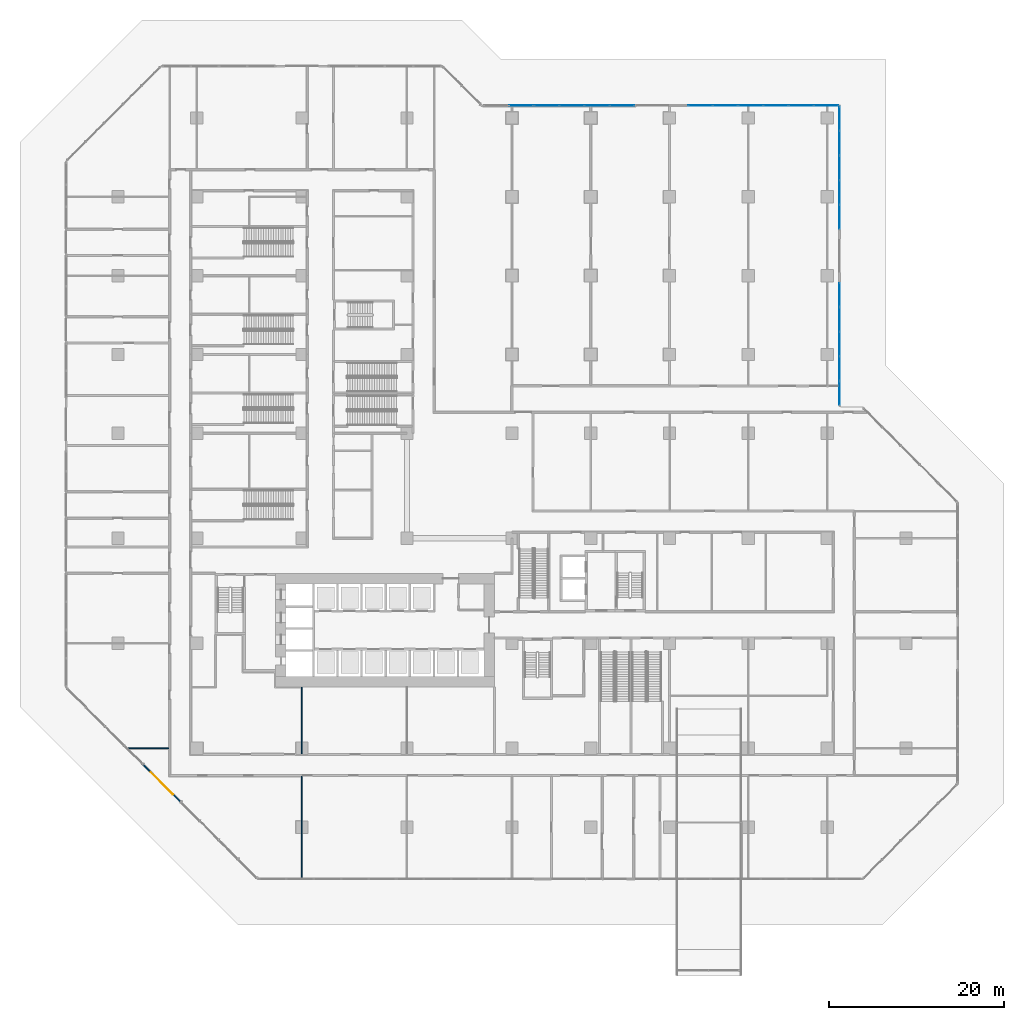
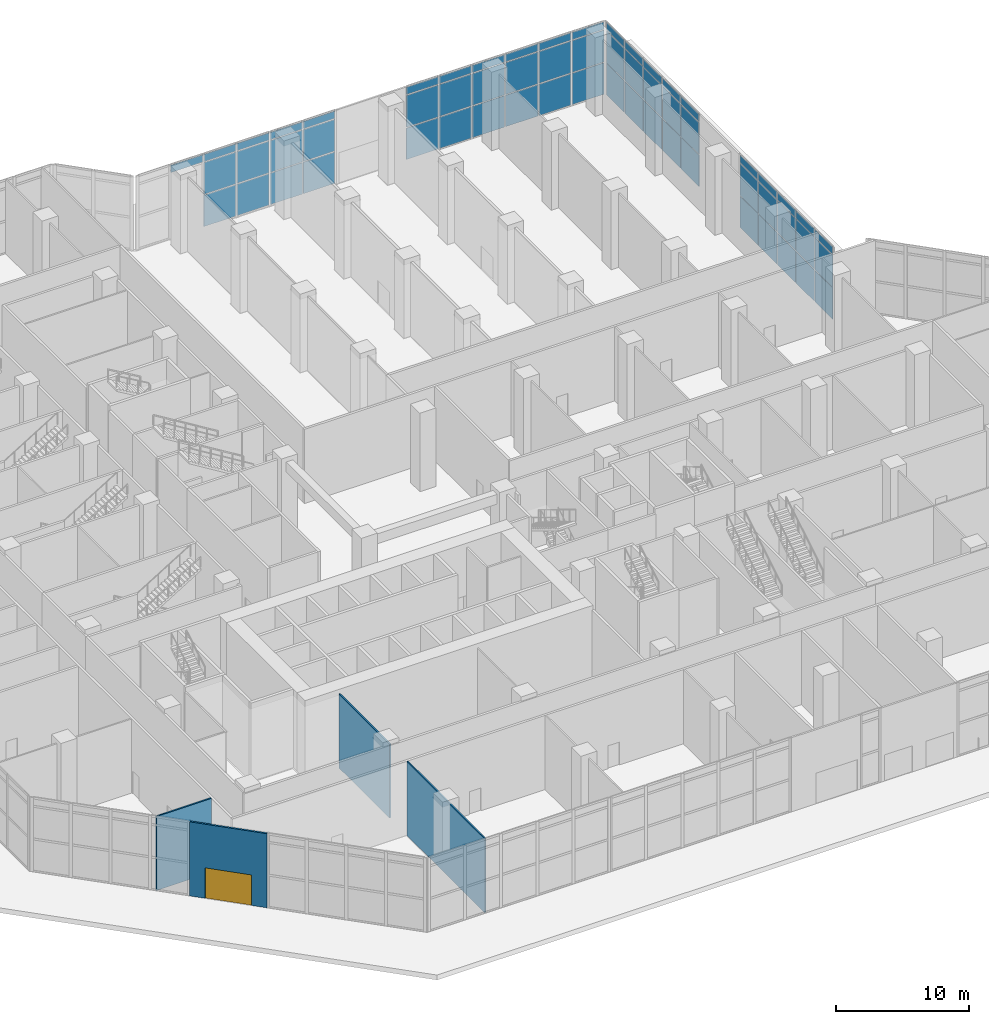
# One storey, part 16 of 34: 61 plates, 4 walls, 1 door, 1 opening, 4 elements without a shape of their own.
"""IFC4 building model written with IfcOpenShell, lengths in metres."""

import ifcopenshell
import ifcopenshell.guid

model = None  # the IFC model being written
_history = None  # IfcOwnerHistory: only IFC2X3 demands one
_inside = {}  # id of a spatial element -> (the spatial element, [elements in it])
_under = {}  # id of a project, library or spatial element -> (it, [spatial elements below it])
_declared = {}  # id of a project -> (the project, [libraries it declares])
_typed = {}  # id of a type object -> (the type object, [elements of that type])
_made_of = {}  # id of a material, layer set ... -> (it, [elements and type objects made of it])


def new_model(schema):
    """Start an empty IFC model of exactly this schema.

    Asked for "IFC4X3", IfcOpenShell would pick the latest addendum, in which some entities
    have other attributes; the version numbers below select the first issue.
    IFC2X3 requires an IfcOwnerHistory on every rooted entity: one is made here for all.
    """
    global model, _history
    if schema == "IFC4X3":
        model = ifcopenshell.file(schema_version=(4, 3, 0, 0))
    else:
        model = ifcopenshell.file(schema=schema)
    _inside.clear()
    _under.clear()
    _declared.clear()
    _typed.clear()
    _made_of.clear()
    _history = None
    if model.schema == "IFC2X3":
        org = make("IfcOrganization", Name="unknown")
        user = make(
            "IfcPersonAndOrganization",
            ThePerson=make("IfcPerson", FamilyName="unknown"),
            TheOrganization=org,
        )
        app = make(
            "IfcApplication",
            ApplicationDeveloper=org,
            Version="unknown",
            ApplicationFullName="unknown",
            ApplicationIdentifier="unknown",
        )
        _history = make(
            "IfcOwnerHistory",
            OwningUser=user,
            OwningApplication=app,
            ChangeAction="ADDED",
            CreationDate=0,
        )
    return model


def make(cls, **values):
    """One entity of the class cls with the attributes given. An attribute that is None is left unset."""
    return model.create_entity(
        cls, **{name: value for name, value in values.items() if value is not None}
    )


def rooted(cls, **values):
    """An entity with a GlobalId (a new one), such as an element, a storey or a relation."""
    return make(cls, GlobalId=ifcopenshell.guid.new(), OwnerHistory=_history, **values)


def si_unit(unit_type, name, prefix=None):
    """IfcSIUnit, for example si_unit("LENGTHUNIT", "METRE", prefix="MILLI")."""
    return make("IfcSIUnit", UnitType=unit_type, Prefix=prefix, Name=name)


def assignment(units):
    """IfcUnitAssignment: the units of a project."""
    return None if units is None else make("IfcUnitAssignment", Units=units)


def point(xyz):
    """IfcCartesianPoint."""
    return None if xyz is None else make("IfcCartesianPoint", Coordinates=xyz)


def direction(xyz):
    """IfcDirection."""
    return None if xyz is None else make("IfcDirection", DirectionRatios=xyz)


def frame(location, z_axis=None, x_axis=None):
    """IfcAxis2Placement3D, a coordinate frame: its origin and axes. An axis left out is left unset."""
    return make(
        "IfcAxis2Placement3D",
        Location=point(location),
        Axis=direction(z_axis),
        RefDirection=direction(x_axis),
    )


def frame_2d(location, x_axis=None):
    """IfcAxis2Placement2D, a coordinate frame in the plane: its origin and x axis."""
    return make(
        "IfcAxis2Placement2D", Location=point(location), RefDirection=direction(x_axis)
    )


def origin():
    """The frame at (0, 0, 0) with its axes left unset."""
    return frame((0.0, 0.0, 0.0))


def origin_2d():
    """The frame at (0, 0) in the plane with its x axis left unset."""
    return frame_2d((0.0, 0.0))


def place(relative_to, where):
    """IfcLocalPlacement: puts the frame where relative to a parent placement (None: the world)."""
    return make(
        "IfcLocalPlacement", PlacementRelTo=relative_to, RelativePlacement=where
    )


def context(
    kind, dimensions, precision=None, world=None, true_north=None, identifier=None
):
    """IfcGeometricRepresentationContext, for example the 3D "Model" context."""
    return make(
        "IfcGeometricRepresentationContext",
        ContextIdentifier=identifier,
        ContextType=kind,
        CoordinateSpaceDimension=dimensions,
        Precision=precision,
        WorldCoordinateSystem=world,
        TrueNorth=true_north,
    )


def subcontext(parent, identifier, kind, view, scale=None):
    """IfcGeometricRepresentationSubContext, for example "Body" below "Model"."""
    return make(
        "IfcGeometricRepresentationSubContext",
        ContextIdentifier=identifier,
        ContextType=kind,
        ParentContext=parent,
        TargetScale=scale,
        TargetView=view,
    )


def project(units=None, contexts=None):
    """IfcProject with its units and contexts."""
    return rooted(
        "IfcProject",
        Name="project",
        RepresentationContexts=contexts,
        UnitsInContext=assignment(units),
    )


def spatial(cls, under=None, at=None, **own):
    """A site, building, storey or space (cls), placed at a placement, below another one or the project."""
    s = rooted(cls, ObjectPlacement=at, **own)
    if under is not None:
        _under.setdefault(under.id(), (under, []))[1].append(s)
    return s


def profile(cls, at=None, kind="AREA", **sizes):
    """A parametric profile (cls). Its sizes go by their IFC names, for example OverallWidth=200.0."""
    return make(cls, ProfileType=kind, Position=at, **sizes)


def rectangle(**sizes):
    """IfcRectangleProfileDef."""
    return profile("IfcRectangleProfileDef", **sizes)


def extrude(swept, where, along, depth):
    """IfcExtrudedAreaSolid: the profile swept, set in the frame where, extruded along a direction by depth."""
    return make(
        "IfcExtrudedAreaSolid",
        SweptArea=swept,
        Position=where,
        ExtrudedDirection=direction(along),
        Depth=depth,
    )


def shape(context_of_items, identifier, shape_type, items):
    """IfcShapeRepresentation: the items that make up one representation, for example the "Body"."""
    return make(
        "IfcShapeRepresentation",
        ContextOfItems=context_of_items,
        RepresentationIdentifier=identifier,
        RepresentationType=shape_type,
        Items=items,
    )


def material(Name=None, Category=None):
    """IfcMaterial."""
    return make("IfcMaterial", Name=Name, Category=Category)


def layer(
    of_material, thickness, ventilated=None, Name=None, Category=None, Priority=None
):
    """IfcMaterialLayer: one layer of a wall or slab, of a material (None: an air gap)."""
    return make(
        "IfcMaterialLayer",
        Material=of_material,
        LayerThickness=thickness,
        IsVentilated=ventilated,
        Name=Name,
        Category=Category,
        Priority=Priority,
    )


def layer_set(layers, Name=None):
    """IfcMaterialLayerSet."""
    return make("IfcMaterialLayerSet", MaterialLayers=layers, LayerSetName=Name)


def made_of(thing, what):
    """Note that an element or type object is made of a material, layer set ...; save() writes the relation."""
    if what is not None:
        _made_of.setdefault(what.id(), (what, []))[1].append(thing)
    return thing


def type_object(cls, material=None, **own):
    """A type object (cls), such as IfcWallType, which elements share."""
    return made_of(rooted(cls, **own), material)


def element(
    cls,
    number,
    at=None,
    inside=None,
    cuts=None,
    type_object=None,
    material=None,
    context=None,
    identifier="Body",
    shape_type=None,
    held_by="IfcProductDefinitionShape",
    body=None,
    shapes=None,
    **own,
):
    """One element of the class cls, such as IfcWall. Its Tag is "e" and its number.

    at: its placement. inside: the storey or other place that contains it. cuts: it is an
    opening in that element (IfcRelVoidsElement). A single representation is given by context,
    identifier, shape_type and body (its items); several are given by shapes. held_by: the class
    of the entity that holds the representations. save() writes the other relations.
    """
    e = rooted(cls, Tag="e%d" % number, ObjectPlacement=at, **own)
    if body is not None:
        shapes = [shape(context, identifier, shape_type, body)]
    if shapes is not None:
        e.Representation = make(held_by, Representations=shapes)
    if inside is not None:
        _inside.setdefault(inside.id(), (inside, []))[1].append(e)
    if cuts is not None:
        rooted(
            "IfcRelVoidsElement", RelatingBuildingElement=cuts, RelatedOpeningElement=e
        )
    if type_object is not None:
        _typed.setdefault(type_object.id(), (type_object, []))[1].append(e)
    return made_of(e, material)


def fill(opening, filler):
    """IfcRelFillsElement: the door or window that sits in an opening."""
    return rooted(
        "IfcRelFillsElement",
        RelatingOpeningElement=opening,
        RelatedBuildingElement=filler,
    )


def aggregate(whole, parts):
    """IfcRelAggregates: a whole, such as a stair, and the parts it consists of."""
    return rooted("IfcRelAggregates", RelatingObject=whole, RelatedObjects=parts)


def save(model, path):
    """Write the relations noted so far, then the file.

    IfcRelAggregates (storeys below a building ...), IfcRelContainedInSpatialStructure (elements
    in a storey), IfcRelDefinesByType, IfcRelAssociatesMaterial and IfcRelDeclares: one each for
    every whole, place, type object, material and project.
    """
    for whole, parts in _under.values():
        aggregate(whole, parts)
    for where, things in _inside.values():
        rooted(
            "IfcRelContainedInSpatialStructure",
            RelatedElements=things,
            RelatingStructure=where,
        )
    for kind, things in _typed.values():
        rooted("IfcRelDefinesByType", RelatedObjects=things, RelatingType=kind)
    for what, things in _made_of.values():
        rooted("IfcRelAssociatesMaterial", RelatedObjects=things, RelatingMaterial=what)
    for by, libraries in _declared.values():
        rooted("IfcRelDeclares", RelatingContext=by, RelatedDefinitions=libraries)
    model.write(path)


model = new_model("IFC4")

# Units and contexts
model_context = context("Model", 3, precision=1e-05, world=origin(), true_north=direction((0.0, 1.0)))
body_context = subcontext(model_context, "Body", "Model", "MODEL_VIEW")
ifc_project = project(units=[si_unit("LENGTHUNIT", "METRE"), si_unit("AREAUNIT", "SQUARE_METRE"), si_unit("VOLUMEUNIT", "CUBIC_METRE"), si_unit("PLANEANGLEUNIT", "RADIAN"), si_unit("MASSUNIT", "GRAM", prefix="KILO")], contexts=[model_context])

# Site, building, storey
site_placement = place(None, origin())
site = spatial("IfcSite", under=ifc_project, at=site_placement, CompositionType="ELEMENT")
building_placement = place(site_placement, origin())
building = spatial("IfcBuilding", under=site, at=building_placement, Name="Chenar Terraces", CompositionType="ELEMENT")
storey_placement = place(building_placement, origin())
storey = spatial("IfcBuildingStorey", under=building, at=storey_placement, Name="L00", CompositionType="ELEMENT", Elevation=0.0)

# Curtain wall, plates
ifc_material_1 = material(Name="Aluminium framed glazing", Category="aluminium")
ifc_layer_1 = layer(ifc_material_1, 0.14990234375)
ifc_layer_set_1 = layer_set([ifc_layer_1], Name="Aluminium framed glazing")
curtain_wall_type = type_object("IfcCurtainWallType", Name="Lobby curtain wall", PredefinedType="NOTDEFINED", material=ifc_layer_set_1)
placement = place(storey_placement, origin())
curtain_wall_1 = element("IfcCurtainWall", 1, at=placement, inside=storey, type_object=curtain_wall_type, Name="Lobby curtain wall", PredefinedType="NOTDEFINED")
ifc_material_2 = material(Name="Low emissivity laminated glass, solar control coating", Category="glass")
ifc_layer_2 = layer(ifc_material_2, 0.035888671875)
ifc_layer_set_2 = layer_set([ifc_layer_2], Name="Low emissivity laminated glass, solar control coating")
plate_type = type_object("IfcPlateType", Name="Lobby glazing panel 36", PredefinedType="CURTAIN_PANEL", material=ifc_layer_set_2)
plate_1_placement = place(storey_placement, frame((73.425048828125, 40.578857421875, 0.080078125), z_axis=(0.0, 0.0, 1.0), x_axis=(0.0, 1.0, 0.0)))
plate_1 = element("IfcPlate", 2, at=plate_1_placement, type_object=plate_type, Name="CW6-10a0 panel 1.1", PredefinedType="CURTAIN_PANEL", context=body_context, shape_type="SweptSolid", body=[
    extrude(rectangle(XDim=2.697509765625, YDim=0.035888671875, at=origin_2d()), origin(), (0.0, 0.0, 1.0), 2.8798828125),
])
plate_2_placement = place(storey_placement, frame((73.425048828125, 40.578857421875, 3.0400390625), z_axis=(0.0, 0.0, 1.0), x_axis=(0.0, 1.0, 0.0)))
plate_2 = element("IfcPlate", 3, at=plate_2_placement, type_object=plate_type, Name="CW6-10a0 panel 1.2", PredefinedType="CURTAIN_PANEL", context=body_context, shape_type="SweptSolid", body=[
    extrude(rectangle(XDim=2.697509765625, YDim=0.035888671875, at=origin_2d()), origin(), (0.0, 0.0, 1.0), 2.919921875),
])
plate_3_placement = place(storey_placement, frame((73.425048828125, 40.578857421875, 6.0400390625), z_axis=(0.0, 0.0, 1.0), x_axis=(0.0, 1.0, 0.0)))
plate_3 = element("IfcPlate", 4, at=plate_3_placement, type_object=plate_type, Name="CW6-10a0 panel 1.3", PredefinedType="CURTAIN_PANEL", context=body_context, shape_type="SweptSolid", body=[
    extrude(rectangle(XDim=2.697509765625, YDim=0.035888671875, at=origin_2d()), origin(), (0.0, 0.0, 1.0), 0.679931640625),
])
plate_4_placement = place(storey_placement, frame((73.425048828125, 43.376220703125, 0.080078125), z_axis=(0.0, 0.0, 1.0), x_axis=(0.0, 1.0, 0.0)))
plate_4 = element("IfcPlate", 5, at=plate_4_placement, type_object=plate_type, Name="CW6-10a0 panel 2.1", PredefinedType="CURTAIN_PANEL", context=body_context, shape_type="SweptSolid", body=[
    extrude(rectangle(XDim=2.737548828125, YDim=0.035888671875, at=origin_2d()), origin(), (0.0, 0.0, 1.0), 2.8798828125),
])
plate_5_placement = place(storey_placement, frame((73.425048828125, 43.376220703125, 3.0400390625), z_axis=(0.0, 0.0, 1.0), x_axis=(0.0, 1.0, 0.0)))
plate_5 = element("IfcPlate", 6, at=plate_5_placement, type_object=plate_type, Name="CW6-10a0 panel 2.2", PredefinedType="CURTAIN_PANEL", context=body_context, shape_type="SweptSolid", body=[
    extrude(rectangle(XDim=2.737548828125, YDim=0.035888671875, at=origin_2d()), origin(), (0.0, 0.0, 1.0), 2.919921875),
])
plate_6_placement = place(storey_placement, frame((73.425048828125, 43.376220703125, 6.0400390625), z_axis=(0.0, 0.0, 1.0), x_axis=(0.0, 1.0, 0.0)))
plate_6 = element("IfcPlate", 7, at=plate_6_placement, type_object=plate_type, Name="CW6-10a0 panel 2.3", PredefinedType="CURTAIN_PANEL", context=body_context, shape_type="SweptSolid", body=[
    extrude(rectangle(XDim=2.737548828125, YDim=0.035888671875, at=origin_2d()), origin(), (0.0, 0.0, 1.0), 0.679931640625),
])
plate_7_placement = place(storey_placement, frame((73.425048828125, 46.19384765625, 0.080078125), z_axis=(0.0, 0.0, 1.0), x_axis=(0.0, 1.0, 0.0)))
plate_7 = element("IfcPlate", 8, at=plate_7_placement, type_object=plate_type, Name="CW6-10a0 panel 3.1", PredefinedType="CURTAIN_PANEL", context=body_context, shape_type="SweptSolid", body=[
    extrude(rectangle(XDim=2.737548828125, YDim=0.035888671875, at=origin_2d()), origin(), (0.0, 0.0, 1.0), 2.8798828125),
])
plate_8_placement = place(storey_placement, frame((73.425048828125, 46.19384765625, 3.0400390625), z_axis=(0.0, 0.0, 1.0), x_axis=(0.0, 1.0, 0.0)))
plate_8 = element("IfcPlate", 9, at=plate_8_placement, type_object=plate_type, Name="CW6-10a0 panel 3.2", PredefinedType="CURTAIN_PANEL", context=body_context, shape_type="SweptSolid", body=[
    extrude(rectangle(XDim=2.737548828125, YDim=0.035888671875, at=origin_2d()), origin(), (0.0, 0.0, 1.0), 2.919921875),
])
plate_9_placement = place(storey_placement, frame((73.425048828125, 46.19384765625, 6.0400390625), z_axis=(0.0, 0.0, 1.0), x_axis=(0.0, 1.0, 0.0)))
plate_9 = element("IfcPlate", 10, at=plate_9_placement, type_object=plate_type, Name="CW6-10a0 panel 3.3", PredefinedType="CURTAIN_PANEL", context=body_context, shape_type="SweptSolid", body=[
    extrude(rectangle(XDim=2.737548828125, YDim=0.035888671875, at=origin_2d()), origin(), (0.0, 0.0, 1.0), 0.679931640625),
])
plate_10_placement = place(storey_placement, frame((73.425048828125, 49.01123046875, 0.080078125), z_axis=(0.0, 0.0, 1.0), x_axis=(0.0, 1.0, 0.0)))
plate_10 = element("IfcPlate", 11, at=plate_10_placement, type_object=plate_type, Name="CW6-10a0 panel 4.1", PredefinedType="CURTAIN_PANEL", context=body_context, shape_type="SweptSolid", body=[
    extrude(rectangle(XDim=2.737548828125, YDim=0.035888671875, at=origin_2d()), origin(), (0.0, 0.0, 1.0), 2.8798828125),
])
plate_11_placement = place(storey_placement, frame((73.425048828125, 49.01123046875, 3.0400390625), z_axis=(0.0, 0.0, 1.0), x_axis=(0.0, 1.0, 0.0)))
plate_11 = element("IfcPlate", 12, at=plate_11_placement, type_object=plate_type, Name="CW6-10a0 panel 4.2", PredefinedType="CURTAIN_PANEL", context=body_context, shape_type="SweptSolid", body=[
    extrude(rectangle(XDim=2.737548828125, YDim=0.035888671875, at=origin_2d()), origin(), (0.0, 0.0, 1.0), 2.919921875),
])
plate_12_placement = place(storey_placement, frame((73.425048828125, 49.01123046875, 6.0400390625), z_axis=(0.0, 0.0, 1.0), x_axis=(0.0, 1.0, 0.0)))
plate_12 = element("IfcPlate", 13, at=plate_12_placement, type_object=plate_type, Name="CW6-10a0 panel 4.3", PredefinedType="CURTAIN_PANEL", context=body_context, shape_type="SweptSolid", body=[
    extrude(rectangle(XDim=2.737548828125, YDim=0.035888671875, at=origin_2d()), origin(), (0.0, 0.0, 1.0), 0.679931640625),
])
plate_13_placement = place(storey_placement, frame((73.425048828125, 51.808837890625, 0.080078125), z_axis=(0.0, 0.0, 1.0), x_axis=(0.0, 1.0, 0.0)))
plate_13 = element("IfcPlate", 14, at=plate_13_placement, type_object=plate_type, Name="CW6-10a0 panel 5.1", PredefinedType="CURTAIN_PANEL", context=body_context, shape_type="SweptSolid", body=[
    extrude(rectangle(XDim=2.697509765625, YDim=0.035888671875, at=origin_2d()), origin(), (0.0, 0.0, 1.0), 2.8798828125),
])
plate_14_placement = place(storey_placement, frame((73.425048828125, 51.808837890625, 3.0400390625), z_axis=(0.0, 0.0, 1.0), x_axis=(0.0, 1.0, 0.0)))
plate_14 = element("IfcPlate", 15, at=plate_14_placement, type_object=plate_type, Name="CW6-10a0 panel 5.2", PredefinedType="CURTAIN_PANEL", context=body_context, shape_type="SweptSolid", body=[
    extrude(rectangle(XDim=2.697509765625, YDim=0.035888671875, at=origin_2d()), origin(), (0.0, 0.0, 1.0), 2.919921875),
])
plate_15_placement = place(storey_placement, frame((73.425048828125, 51.808837890625, 6.0400390625), z_axis=(0.0, 0.0, 1.0), x_axis=(0.0, 1.0, 0.0)))
plate_15 = element("IfcPlate", 16, at=plate_15_placement, type_object=plate_type, Name="CW6-10a0 panel 5.3", PredefinedType="CURTAIN_PANEL", context=body_context, shape_type="SweptSolid", body=[
    extrude(rectangle(XDim=2.697509765625, YDim=0.035888671875, at=origin_2d()), origin(), (0.0, 0.0, 1.0), 0.679931640625),
])
aggregate(curtain_wall_1, [plate_1, plate_2, plate_3, plate_4, plate_5, plate_6, plate_7, plate_8, plate_9, plate_10, plate_11, plate_12, plate_13, plate_14, plate_15])

curtain_wall_2 = element("IfcCurtainWall", 17, at=placement, inside=storey, type_object=curtain_wall_type, Name="Lobby curtain wall", PredefinedType="NOTDEFINED")
plate_16_placement = place(storey_placement, frame((73.425048828125, 60.691162109375, 0.080078125), z_axis=(0.0, 0.0, 1.0), x_axis=(0.0, 1.0, 0.0)))
plate_16 = element("IfcPlate", 18, at=plate_16_placement, type_object=plate_type, Name="CW6-10b0 panel 1.1", PredefinedType="CURTAIN_PANEL", context=body_context, shape_type="SweptSolid", body=[
    extrude(rectangle(XDim=2.697509765625, YDim=0.035888671875, at=origin_2d()), origin(), (0.0, 0.0, 1.0), 2.8798828125),
])
plate_17_placement = place(storey_placement, frame((73.425048828125, 60.691162109375, 3.0400390625), z_axis=(0.0, 0.0, 1.0), x_axis=(0.0, 1.0, 0.0)))
plate_17 = element("IfcPlate", 19, at=plate_17_placement, type_object=plate_type, Name="CW6-10b0 panel 1.2", PredefinedType="CURTAIN_PANEL", context=body_context, shape_type="SweptSolid", body=[
    extrude(rectangle(XDim=2.697509765625, YDim=0.035888671875, at=origin_2d()), origin(), (0.0, 0.0, 1.0), 2.919921875),
])
plate_18_placement = place(storey_placement, frame((73.425048828125, 60.691162109375, 6.0400390625), z_axis=(0.0, 0.0, 1.0), x_axis=(0.0, 1.0, 0.0)))
plate_18 = element("IfcPlate", 20, at=plate_18_placement, type_object=plate_type, Name="CW6-10b0 panel 1.3", PredefinedType="CURTAIN_PANEL", context=body_context, shape_type="SweptSolid", body=[
    extrude(rectangle(XDim=2.697509765625, YDim=0.035888671875, at=origin_2d()), origin(), (0.0, 0.0, 1.0), 0.679931640625),
])
plate_19_placement = place(storey_placement, frame((73.425048828125, 63.48876953125, 0.080078125), z_axis=(0.0, 0.0, 1.0), x_axis=(0.0, 1.0, 0.0)))
plate_19 = element("IfcPlate", 21, at=plate_19_placement, type_object=plate_type, Name="CW6-10b0 panel 2.1", PredefinedType="CURTAIN_PANEL", context=body_context, shape_type="SweptSolid", body=[
    extrude(rectangle(XDim=2.737548828125, YDim=0.035888671875, at=origin_2d()), origin(), (0.0, 0.0, 1.0), 2.8798828125),
])
plate_20_placement = place(storey_placement, frame((73.425048828125, 63.48876953125, 3.0400390625), z_axis=(0.0, 0.0, 1.0), x_axis=(0.0, 1.0, 0.0)))
plate_20 = element("IfcPlate", 22, at=plate_20_placement, type_object=plate_type, Name="CW6-10b0 panel 2.2", PredefinedType="CURTAIN_PANEL", context=body_context, shape_type="SweptSolid", body=[
    extrude(rectangle(XDim=2.737548828125, YDim=0.035888671875, at=origin_2d()), origin(), (0.0, 0.0, 1.0), 2.919921875),
])
plate_21_placement = place(storey_placement, frame((73.425048828125, 63.48876953125, 6.0400390625), z_axis=(0.0, 0.0, 1.0), x_axis=(0.0, 1.0, 0.0)))
plate_21 = element("IfcPlate", 23, at=plate_21_placement, type_object=plate_type, Name="CW6-10b0 panel 2.3", PredefinedType="CURTAIN_PANEL", context=body_context, shape_type="SweptSolid", body=[
    extrude(rectangle(XDim=2.737548828125, YDim=0.035888671875, at=origin_2d()), origin(), (0.0, 0.0, 1.0), 0.679931640625),
])
plate_22_placement = place(storey_placement, frame((73.425048828125, 66.30615234375, 0.080078125), z_axis=(0.0, 0.0, 1.0), x_axis=(0.0, 1.0, 0.0)))
plate_22 = element("IfcPlate", 24, at=plate_22_placement, type_object=plate_type, Name="CW6-10b0 panel 3.1", PredefinedType="CURTAIN_PANEL", context=body_context, shape_type="SweptSolid", body=[
    extrude(rectangle(XDim=2.737548828125, YDim=0.035888671875, at=origin_2d()), origin(), (0.0, 0.0, 1.0), 2.8798828125),
])
plate_23_placement = place(storey_placement, frame((73.425048828125, 66.30615234375, 3.0400390625), z_axis=(0.0, 0.0, 1.0), x_axis=(0.0, 1.0, 0.0)))
plate_23 = element("IfcPlate", 25, at=plate_23_placement, type_object=plate_type, Name="CW6-10b0 panel 3.2", PredefinedType="CURTAIN_PANEL", context=body_context, shape_type="SweptSolid", body=[
    extrude(rectangle(XDim=2.737548828125, YDim=0.035888671875, at=origin_2d()), origin(), (0.0, 0.0, 1.0), 2.919921875),
])
plate_24_placement = place(storey_placement, frame((73.425048828125, 66.30615234375, 6.0400390625), z_axis=(0.0, 0.0, 1.0), x_axis=(0.0, 1.0, 0.0)))
plate_24 = element("IfcPlate", 26, at=plate_24_placement, type_object=plate_type, Name="CW6-10b0 panel 3.3", PredefinedType="CURTAIN_PANEL", context=body_context, shape_type="SweptSolid", body=[
    extrude(rectangle(XDim=2.737548828125, YDim=0.035888671875, at=origin_2d()), origin(), (0.0, 0.0, 1.0), 0.679931640625),
])
plate_25_placement = place(storey_placement, frame((73.425048828125, 69.123779296875, 0.080078125), z_axis=(0.0, 0.0, 1.0), x_axis=(0.0, 1.0, 0.0)))
plate_25 = element("IfcPlate", 27, at=plate_25_placement, type_object=plate_type, Name="CW6-10b0 panel 4.1", PredefinedType="CURTAIN_PANEL", context=body_context, shape_type="SweptSolid", body=[
    extrude(rectangle(XDim=2.737548828125, YDim=0.035888671875, at=origin_2d()), origin(), (0.0, 0.0, 1.0), 2.8798828125),
])
plate_26_placement = place(storey_placement, frame((73.425048828125, 69.123779296875, 3.0400390625), z_axis=(0.0, 0.0, 1.0), x_axis=(0.0, 1.0, 0.0)))
plate_26 = element("IfcPlate", 28, at=plate_26_placement, type_object=plate_type, Name="CW6-10b0 panel 4.2", PredefinedType="CURTAIN_PANEL", context=body_context, shape_type="SweptSolid", body=[
    extrude(rectangle(XDim=2.737548828125, YDim=0.035888671875, at=origin_2d()), origin(), (0.0, 0.0, 1.0), 2.919921875),
])
plate_27_placement = place(storey_placement, frame((73.425048828125, 69.123779296875, 6.0400390625), z_axis=(0.0, 0.0, 1.0), x_axis=(0.0, 1.0, 0.0)))
plate_27 = element("IfcPlate", 29, at=plate_27_placement, type_object=plate_type, Name="CW6-10b0 panel 4.3", PredefinedType="CURTAIN_PANEL", context=body_context, shape_type="SweptSolid", body=[
    extrude(rectangle(XDim=2.737548828125, YDim=0.035888671875, at=origin_2d()), origin(), (0.0, 0.0, 1.0), 0.679931640625),
])
plate_28_placement = place(storey_placement, frame((73.425048828125, 71.921142578125, 0.080078125), z_axis=(0.0, 0.0, 1.0), x_axis=(0.0, 1.0, 0.0)))
plate_28 = element("IfcPlate", 30, at=plate_28_placement, type_object=plate_type, Name="CW6-10b0 panel 5.1", PredefinedType="CURTAIN_PANEL", context=body_context, shape_type="SweptSolid", body=[
    extrude(rectangle(XDim=2.697509765625, YDim=0.035888671875, at=origin_2d()), origin(), (0.0, 0.0, 1.0), 2.8798828125),
])
plate_29_placement = place(storey_placement, frame((73.425048828125, 71.921142578125, 3.0400390625), z_axis=(0.0, 0.0, 1.0), x_axis=(0.0, 1.0, 0.0)))
plate_29 = element("IfcPlate", 31, at=plate_29_placement, type_object=plate_type, Name="CW6-10b0 panel 5.2", PredefinedType="CURTAIN_PANEL", context=body_context, shape_type="SweptSolid", body=[
    extrude(rectangle(XDim=2.697509765625, YDim=0.035888671875, at=origin_2d()), origin(), (0.0, 0.0, 1.0), 2.919921875),
])
plate_30_placement = place(storey_placement, frame((73.425048828125, 71.921142578125, 6.0400390625), z_axis=(0.0, 0.0, 1.0), x_axis=(0.0, 1.0, 0.0)))
plate_30 = element("IfcPlate", 32, at=plate_30_placement, type_object=plate_type, Name="CW6-10b0 panel 5.3", PredefinedType="CURTAIN_PANEL", context=body_context, shape_type="SweptSolid", body=[
    extrude(rectangle(XDim=2.697509765625, YDim=0.035888671875, at=origin_2d()), origin(), (0.0, 0.0, 1.0), 0.679931640625),
])
aggregate(curtain_wall_2, [plate_16, plate_17, plate_18, plate_19, plate_20, plate_21, plate_22, plate_23, plate_24, plate_25, plate_26, plate_27, plate_28, plate_29, plate_30])

curtain_wall_3 = element("IfcCurtainWall", 33, at=placement, inside=storey, type_object=curtain_wall_type, Name="Lobby curtain wall", PredefinedType="NOTDEFINED")
plate_31_placement = place(storey_placement, frame((71.888916015625, 73.425048828125, 0.080078125), z_axis=(0.0, 0.0, 1.0), x_axis=(-1.0, 0.0, 0.0)))
plate_31 = element("IfcPlate", 34, at=plate_31_placement, type_object=plate_type, Name="CW6-11a0 panel 1.1", PredefinedType="CURTAIN_PANEL", context=body_context, shape_type="SweptSolid", body=[
    extrude(rectangle(XDim=2.761962890625, YDim=0.035888671875, at=origin_2d()), origin(), (0.0, 0.0, 1.0), 2.8798828125),
])
plate_32_placement = place(storey_placement, frame((71.888916015625, 73.425048828125, 3.0400390625), z_axis=(0.0, 0.0, 1.0), x_axis=(-1.0, 0.0, 0.0)))
plate_32 = element("IfcPlate", 35, at=plate_32_placement, type_object=plate_type, Name="CW6-11a0 panel 1.2", PredefinedType="CURTAIN_PANEL", context=body_context, shape_type="SweptSolid", body=[
    extrude(rectangle(XDim=2.761962890625, YDim=0.035888671875, at=origin_2d()), origin(), (0.0, 0.0, 1.0), 2.919921875),
])
plate_33_placement = place(storey_placement, frame((71.888916015625, 73.425048828125, 6.0400390625), z_axis=(0.0, 0.0, 1.0), x_axis=(-1.0, 0.0, 0.0)))
plate_33 = element("IfcPlate", 36, at=plate_33_placement, type_object=plate_type, Name="CW6-11a0 panel 1.3", PredefinedType="CURTAIN_PANEL", context=body_context, shape_type="SweptSolid", body=[
    extrude(rectangle(XDim=2.761962890625, YDim=0.035888671875, at=origin_2d()), origin(), (0.0, 0.0, 1.0), 0.679931640625),
])
plate_34_placement = place(storey_placement, frame((69.027099609375, 73.425048828125, 0.080078125), z_axis=(0.0, 0.0, 1.0), x_axis=(-1.0, 0.0, 0.0)))
plate_34 = element("IfcPlate", 37, at=plate_34_placement, type_object=plate_type, Name="CW6-11a0 panel 2.1", PredefinedType="CURTAIN_PANEL", context=body_context, shape_type="SweptSolid", body=[
    extrude(rectangle(XDim=2.802001953125, YDim=0.035888671875, at=origin_2d()), origin(), (0.0, 0.0, 1.0), 2.8798828125),
])
plate_35_placement = place(storey_placement, frame((69.027099609375, 73.425048828125, 3.0400390625), z_axis=(0.0, 0.0, 1.0), x_axis=(-1.0, 0.0, 0.0)))
plate_35 = element("IfcPlate", 38, at=plate_35_placement, type_object=plate_type, Name="CW6-11a0 panel 2.2", PredefinedType="CURTAIN_PANEL", context=body_context, shape_type="SweptSolid", body=[
    extrude(rectangle(XDim=2.802001953125, YDim=0.035888671875, at=origin_2d()), origin(), (0.0, 0.0, 1.0), 2.919921875),
])
plate_36_placement = place(storey_placement, frame((69.027099609375, 73.425048828125, 6.0400390625), z_axis=(0.0, 0.0, 1.0), x_axis=(-1.0, 0.0, 0.0)))
plate_36 = element("IfcPlate", 39, at=plate_36_placement, type_object=plate_type, Name="CW6-11a0 panel 2.3", PredefinedType="CURTAIN_PANEL", context=body_context, shape_type="SweptSolid", body=[
    extrude(rectangle(XDim=2.802001953125, YDim=0.035888671875, at=origin_2d()), origin(), (0.0, 0.0, 1.0), 0.679931640625),
])
plate_37_placement = place(storey_placement, frame((66.145263671875, 73.425048828125, 0.080078125), z_axis=(0.0, 0.0, 1.0), x_axis=(-1.0, 0.0, 0.0)))
plate_37 = element("IfcPlate", 40, at=plate_37_placement, type_object=plate_type, Name="CW6-11a0 panel 3.1", PredefinedType="CURTAIN_PANEL", context=body_context, shape_type="SweptSolid", body=[
    extrude(rectangle(XDim=2.802001953125, YDim=0.035888671875, at=origin_2d()), origin(), (0.0, 0.0, 1.0), 2.8798828125),
])
plate_38_placement = place(storey_placement, frame((66.145263671875, 73.425048828125, 3.0400390625), z_axis=(0.0, 0.0, 1.0), x_axis=(-1.0, 0.0, 0.0)))
plate_38 = element("IfcPlate", 41, at=plate_38_placement, type_object=plate_type, Name="CW6-11a0 panel 3.2", PredefinedType="CURTAIN_PANEL", context=body_context, shape_type="SweptSolid", body=[
    extrude(rectangle(XDim=2.802001953125, YDim=0.035888671875, at=origin_2d()), origin(), (0.0, 0.0, 1.0), 2.919921875),
])
plate_39_placement = place(storey_placement, frame((66.145263671875, 73.425048828125, 6.0400390625), z_axis=(0.0, 0.0, 1.0), x_axis=(-1.0, 0.0, 0.0)))
plate_39 = element("IfcPlate", 42, at=plate_39_placement, type_object=plate_type, Name="CW6-11a0 panel 3.3", PredefinedType="CURTAIN_PANEL", context=body_context, shape_type="SweptSolid", body=[
    extrude(rectangle(XDim=2.802001953125, YDim=0.035888671875, at=origin_2d()), origin(), (0.0, 0.0, 1.0), 0.679931640625),
])
plate_40_placement = place(storey_placement, frame((63.26318359375, 73.425048828125, 0.080078125), z_axis=(0.0, 0.0, 1.0), x_axis=(-1.0, 0.0, 0.0)))
plate_40 = element("IfcPlate", 43, at=plate_40_placement, type_object=plate_type, Name="CW6-11a0 panel 4.1", PredefinedType="CURTAIN_PANEL", context=body_context, shape_type="SweptSolid", body=[
    extrude(rectangle(XDim=2.802001953125, YDim=0.035888671875, at=origin_2d()), origin(), (0.0, 0.0, 1.0), 2.8798828125),
])
plate_41_placement = place(storey_placement, frame((63.26318359375, 73.425048828125, 3.0400390625), z_axis=(0.0, 0.0, 1.0), x_axis=(-1.0, 0.0, 0.0)))
plate_41 = element("IfcPlate", 44, at=plate_41_placement, type_object=plate_type, Name="CW6-11a0 panel 4.2", PredefinedType="CURTAIN_PANEL", context=body_context, shape_type="SweptSolid", body=[
    extrude(rectangle(XDim=2.802001953125, YDim=0.035888671875, at=origin_2d()), origin(), (0.0, 0.0, 1.0), 2.919921875),
])
plate_42_placement = place(storey_placement, frame((63.26318359375, 73.425048828125, 6.0400390625), z_axis=(0.0, 0.0, 1.0), x_axis=(-1.0, 0.0, 0.0)))
plate_42 = element("IfcPlate", 45, at=plate_42_placement, type_object=plate_type, Name="CW6-11a0 panel 4.3", PredefinedType="CURTAIN_PANEL", context=body_context, shape_type="SweptSolid", body=[
    extrude(rectangle(XDim=2.802001953125, YDim=0.035888671875, at=origin_2d()), origin(), (0.0, 0.0, 1.0), 0.679931640625),
])
plate_43_placement = place(storey_placement, frame((60.38134765625, 73.425048828125, 0.080078125), z_axis=(0.0, 0.0, 1.0), x_axis=(-1.0, 0.0, 0.0)))
plate_43 = element("IfcPlate", 46, at=plate_43_placement, type_object=plate_type, Name="CW6-11a0 panel 5.1", PredefinedType="CURTAIN_PANEL", context=body_context, shape_type="SweptSolid", body=[
    extrude(rectangle(XDim=2.802001953125, YDim=0.035888671875, at=origin_2d()), origin(), (0.0, 0.0, 1.0), 2.8798828125),
])
plate_44_placement = place(storey_placement, frame((60.38134765625, 73.425048828125, 3.0400390625), z_axis=(0.0, 0.0, 1.0), x_axis=(-1.0, 0.0, 0.0)))
plate_44 = element("IfcPlate", 47, at=plate_44_placement, type_object=plate_type, Name="CW6-11a0 panel 5.2", PredefinedType="CURTAIN_PANEL", context=body_context, shape_type="SweptSolid", body=[
    extrude(rectangle(XDim=2.802001953125, YDim=0.035888671875, at=origin_2d()), origin(), (0.0, 0.0, 1.0), 2.919921875),
])
plate_45_placement = place(storey_placement, frame((60.38134765625, 73.425048828125, 6.0400390625), z_axis=(0.0, 0.0, 1.0), x_axis=(-1.0, 0.0, 0.0)))
plate_45 = element("IfcPlate", 48, at=plate_45_placement, type_object=plate_type, Name="CW6-11a0 panel 5.3", PredefinedType="CURTAIN_PANEL", context=body_context, shape_type="SweptSolid", body=[
    extrude(rectangle(XDim=2.802001953125, YDim=0.035888671875, at=origin_2d()), origin(), (0.0, 0.0, 1.0), 0.679931640625),
])
plate_46_placement = place(storey_placement, frame((57.51953125, 73.425048828125, 0.080078125), z_axis=(0.0, 0.0, 1.0), x_axis=(-1.0, 0.0, 0.0)))
plate_46 = element("IfcPlate", 49, at=plate_46_placement, type_object=plate_type, Name="CW6-11a0 panel 6.1", PredefinedType="CURTAIN_PANEL", context=body_context, shape_type="SweptSolid", body=[
    extrude(rectangle(XDim=2.761962890625, YDim=0.035888671875, at=origin_2d()), origin(), (0.0, 0.0, 1.0), 2.8798828125),
])
plate_47_placement = place(storey_placement, frame((57.51953125, 73.425048828125, 3.0400390625), z_axis=(0.0, 0.0, 1.0), x_axis=(-1.0, 0.0, 0.0)))
plate_47 = element("IfcPlate", 50, at=plate_47_placement, type_object=plate_type, Name="CW6-11a0 panel 6.2", PredefinedType="CURTAIN_PANEL", context=body_context, shape_type="SweptSolid", body=[
    extrude(rectangle(XDim=2.761962890625, YDim=0.035888671875, at=origin_2d()), origin(), (0.0, 0.0, 1.0), 2.919921875),
])
plate_48_placement = place(storey_placement, frame((57.51953125, 73.425048828125, 6.0400390625), z_axis=(0.0, 0.0, 1.0), x_axis=(-1.0, 0.0, 0.0)))
plate_48 = element("IfcPlate", 51, at=plate_48_placement, type_object=plate_type, Name="CW6-11a0 panel 6.3", PredefinedType="CURTAIN_PANEL", context=body_context, shape_type="SweptSolid", body=[
    extrude(rectangle(XDim=2.761962890625, YDim=0.035888671875, at=origin_2d()), origin(), (0.0, 0.0, 1.0), 0.679931640625),
])
aggregate(curtain_wall_3, [plate_31, plate_32, plate_33, plate_34, plate_35, plate_36, plate_37, plate_38, plate_39, plate_40, plate_41, plate_42, plate_43, plate_44, plate_45, plate_46, plate_47, plate_48])

curtain_wall_4 = element("IfcCurtainWall", 52, at=placement, inside=storey, type_object=curtain_wall_type, Name="Lobby curtain wall", PredefinedType="NOTDEFINED")
plate_49_placement = place(storey_placement, frame((48.572509765625, 73.425048828125, 0.080078125), z_axis=(0.0, 0.0, 1.0), x_axis=(-1.0, 0.0, 0.0)))
plate_49 = element("IfcPlate", 53, at=plate_49_placement, type_object=plate_type, Name="CW6-11b0 panel 1.1", PredefinedType="CURTAIN_PANEL", context=body_context, shape_type="SweptSolid", body=[
    extrude(rectangle(XDim=2.761962890625, YDim=0.035888671875, at=origin_2d()), origin(), (0.0, 0.0, 1.0), 2.8798828125),
])
plate_50_placement = place(storey_placement, frame((48.572509765625, 73.425048828125, 3.0400390625), z_axis=(0.0, 0.0, 1.0), x_axis=(-1.0, 0.0, 0.0)))
plate_50 = element("IfcPlate", 54, at=plate_50_placement, type_object=plate_type, Name="CW6-11b0 panel 1.2", PredefinedType="CURTAIN_PANEL", context=body_context, shape_type="SweptSolid", body=[
    extrude(rectangle(XDim=2.761962890625, YDim=0.035888671875, at=origin_2d()), origin(), (0.0, 0.0, 1.0), 2.919921875),
])
plate_51_placement = place(storey_placement, frame((48.572509765625, 73.425048828125, 6.0400390625), z_axis=(0.0, 0.0, 1.0), x_axis=(-1.0, 0.0, 0.0)))
plate_51 = element("IfcPlate", 55, at=plate_51_placement, type_object=plate_type, Name="CW6-11b0 panel 1.3", PredefinedType="CURTAIN_PANEL", context=body_context, shape_type="SweptSolid", body=[
    extrude(rectangle(XDim=2.761962890625, YDim=0.035888671875, at=origin_2d()), origin(), (0.0, 0.0, 1.0), 0.679931640625),
])
plate_52_placement = place(storey_placement, frame((45.71044921875, 73.425048828125, 0.080078125), z_axis=(0.0, 0.0, 1.0), x_axis=(-1.0, 0.0, 0.0)))
plate_52 = element("IfcPlate", 56, at=plate_52_placement, type_object=plate_type, Name="CW6-11b0 panel 2.1", PredefinedType="CURTAIN_PANEL", context=body_context, shape_type="SweptSolid", body=[
    extrude(rectangle(XDim=2.802001953125, YDim=0.035888671875, at=origin_2d()), origin(), (0.0, 0.0, 1.0), 2.8798828125),
])
plate_53_placement = place(storey_placement, frame((45.71044921875, 73.425048828125, 3.0400390625), z_axis=(0.0, 0.0, 1.0), x_axis=(-1.0, 0.0, 0.0)))
plate_53 = element("IfcPlate", 57, at=plate_53_placement, type_object=plate_type, Name="CW6-11b0 panel 2.2", PredefinedType="CURTAIN_PANEL", context=body_context, shape_type="SweptSolid", body=[
    extrude(rectangle(XDim=2.802001953125, YDim=0.035888671875, at=origin_2d()), origin(), (0.0, 0.0, 1.0), 2.919921875),
])
plate_54_placement = place(storey_placement, frame((45.71044921875, 73.425048828125, 6.0400390625), z_axis=(0.0, 0.0, 1.0), x_axis=(-1.0, 0.0, 0.0)))
plate_54 = element("IfcPlate", 58, at=plate_54_placement, type_object=plate_type, Name="CW6-11b0 panel 2.3", PredefinedType="CURTAIN_PANEL", context=body_context, shape_type="SweptSolid", body=[
    extrude(rectangle(XDim=2.802001953125, YDim=0.035888671875, at=origin_2d()), origin(), (0.0, 0.0, 1.0), 0.679931640625),
])
plate_55_placement = place(storey_placement, frame((42.82861328125, 73.425048828125, 0.080078125), z_axis=(0.0, 0.0, 1.0), x_axis=(-1.0, 0.0, 0.0)))
plate_55 = element("IfcPlate", 59, at=plate_55_placement, type_object=plate_type, Name="CW6-11b0 panel 3.1", PredefinedType="CURTAIN_PANEL", context=body_context, shape_type="SweptSolid", body=[
    extrude(rectangle(XDim=2.802001953125, YDim=0.035888671875, at=origin_2d()), origin(), (0.0, 0.0, 1.0), 2.8798828125),
])
plate_56_placement = place(storey_placement, frame((42.82861328125, 73.425048828125, 3.0400390625), z_axis=(0.0, 0.0, 1.0), x_axis=(-1.0, 0.0, 0.0)))
plate_56 = element("IfcPlate", 60, at=plate_56_placement, type_object=plate_type, Name="CW6-11b0 panel 3.2", PredefinedType="CURTAIN_PANEL", context=body_context, shape_type="SweptSolid", body=[
    extrude(rectangle(XDim=2.802001953125, YDim=0.035888671875, at=origin_2d()), origin(), (0.0, 0.0, 1.0), 2.919921875),
])
plate_57_placement = place(storey_placement, frame((42.82861328125, 73.425048828125, 6.0400390625), z_axis=(0.0, 0.0, 1.0), x_axis=(-1.0, 0.0, 0.0)))
plate_57 = element("IfcPlate", 61, at=plate_57_placement, type_object=plate_type, Name="CW6-11b0 panel 3.3", PredefinedType="CURTAIN_PANEL", context=body_context, shape_type="SweptSolid", body=[
    extrude(rectangle(XDim=2.802001953125, YDim=0.035888671875, at=origin_2d()), origin(), (0.0, 0.0, 1.0), 0.679931640625),
])
plate_58_placement = place(storey_placement, frame((39.94677734375, 73.425048828125, 0.080078125), z_axis=(0.0, 0.0, 1.0), x_axis=(-1.0, 0.0, 0.0)))
plate_58 = element("IfcPlate", 62, at=plate_58_placement, type_object=plate_type, Name="CW6-11b0 panel 4.1", PredefinedType="CURTAIN_PANEL", context=body_context, shape_type="SweptSolid", body=[
    extrude(rectangle(XDim=2.802001953125, YDim=0.035888671875, at=origin_2d()), origin(), (0.0, 0.0, 1.0), 2.8798828125),
])
plate_59_placement = place(storey_placement, frame((39.94677734375, 73.425048828125, 3.0400390625), z_axis=(0.0, 0.0, 1.0), x_axis=(-1.0, 0.0, 0.0)))
plate_59 = element("IfcPlate", 63, at=plate_59_placement, type_object=plate_type, Name="CW6-11b0 panel 4.2", PredefinedType="CURTAIN_PANEL", context=body_context, shape_type="SweptSolid", body=[
    extrude(rectangle(XDim=2.802001953125, YDim=0.035888671875, at=origin_2d()), origin(), (0.0, 0.0, 1.0), 2.919921875),
])
plate_60_placement = place(storey_placement, frame((39.94677734375, 73.425048828125, 6.0400390625), z_axis=(0.0, 0.0, 1.0), x_axis=(-1.0, 0.0, 0.0)))
plate_60 = element("IfcPlate", 64, at=plate_60_placement, type_object=plate_type, Name="CW6-11b0 panel 4.3", PredefinedType="CURTAIN_PANEL", context=body_context, shape_type="SweptSolid", body=[
    extrude(rectangle(XDim=2.802001953125, YDim=0.035888671875, at=origin_2d()), origin(), (0.0, 0.0, 1.0), 0.679931640625),
])
plate_61_placement = place(storey_placement, frame((37.064697265625, 73.425048828125, 6.0400390625), z_axis=(0.0, 0.0, 1.0), x_axis=(-1.0, 0.0, 0.0)))
plate_61 = element("IfcPlate", 65, at=plate_61_placement, type_object=plate_type, Name="CW6-11b0 panel 5.3", PredefinedType="CURTAIN_PANEL", context=body_context, shape_type="SweptSolid", body=[
    extrude(rectangle(XDim=2.802001953125, YDim=0.035888671875, at=origin_2d()), origin(), (0.0, 0.0, 1.0), 0.679931640625),
])
aggregate(curtain_wall_4, [plate_49, plate_50, plate_51, plate_52, plate_53, plate_54, plate_55, plate_56, plate_57, plate_58, plate_59, plate_60, plate_61])

# Walls
ifc_material_3 = material(Name="Gypsum board on steel studs with mineral wool", Category="steel")
ifc_layer_3 = layer(ifc_material_3, 0.125)
ifc_layer_set_3 = layer_set([ifc_layer_3], Name="Gypsum board on steel studs with mineral wool")
wall_type_1 = type_object("IfcWallType", Name="Acoustic partition 125", PredefinedType="PARTITIONING", material=ifc_layer_set_3)
wall_1_placement = place(storey_placement, frame((-7.986083984375, 0.0, 0.0), z_axis=(0.0, 0.0, 1.0), x_axis=(1.0, 0.0, 0.0)))
element("IfcWall", 66, at=wall_1_placement, inside=storey, type_object=wall_type_1, Name="Partition L00-014", PredefinedType="PARTITIONING", context=body_context, shape_type="SweptSolid", body=[
    extrude(rectangle(XDim=4.7861328125, YDim=0.125, at=frame_2d((2.39306640625, 0.0))), origin(), (0.0, 0.0, 1.0), 6.800048828125),
])
wall_2_placement = place(storey_placement, frame((12.0, -14.925048828125, 0.0), z_axis=(0.0, 0.0, 1.0), x_axis=(0.0, 1.0, 0.0)))
element("IfcWall", 67, at=wall_2_placement, inside=storey, type_object=wall_type_1, Name="Partition L00-047", PredefinedType="PARTITIONING", context=body_context, shape_type="SweptSolid", body=[
    extrude(rectangle(XDim=11.72509765625, YDim=0.125, at=frame_2d((5.862548828125, 0.0))), origin(), (0.0, 0.0, 1.0), 6.800048828125),
])
wall_3_placement = place(storey_placement, frame((12.0, -0.60009765625, 0.0), z_axis=(0.0, 0.0, 1.0), x_axis=(0.0, 1.0, 0.0)))
element("IfcWall", 68, at=wall_3_placement, inside=storey, type_object=wall_type_1, Name="Partition L00-048", PredefinedType="PARTITIONING", context=body_context, shape_type="SweptSolid", body=[
    extrude(rectangle(XDim=7.60009765625, YDim=0.125, at=frame_2d((3.800048828125, 0.0))), origin(), (0.0, 0.0, 1.0), 6.800048828125),
])

# Wall, opening, door
ifc_material_4 = material(Name="Terracotta cladding on insulated backing", Category="masonry")
ifc_layer_4 = layer(ifc_material_4, 0.14990234375)
ifc_layer_set_4 = layer_set([ifc_layer_4], Name="Terracotta cladding on insulated backing")
wall_type_2 = type_object("IfcWallType", Name="Entrance wall 150", PredefinedType="SOLIDWALL", material=ifc_layer_set_4)
wall_4_placement = place(storey_placement, frame((-6.1142578125, -1.87158203125, 0.0), z_axis=(0.0, 0.0, 1.0), x_axis=(0.707106781187, -0.707106781187, 0.0)))
wall_4 = element("IfcWall", 69, at=wall_4_placement, inside=storey, type_object=wall_type_2, Name="Entrance wall", PredefinedType="SOLIDWALL", context=body_context, shape_type="SweptSolid", body=[
    extrude(rectangle(XDim=6.0, YDim=0.14990234375, at=frame_2d((3.0, 0.0))), origin(), (0.0, 0.0, 1.0), 6.800048828125),
])
opening_placement = place(wall_4_placement, frame((1.199951171875, 0.0, 0.0)))
opening = element("IfcOpeningElement", 70, at=opening_placement, cuts=wall_4, Name="Opening DL00-E5", PredefinedType="OPENING", context=body_context, shape_type="SweptSolid", body=[
    extrude(rectangle(XDim=3.60009765625, YDim=2.800048828125, at=frame_2d((1.800048828125, 1.39990234375))), frame((0.0, 0.0849609375, 0.0), z_axis=(0.0, -1.0, 0.0), x_axis=(1.0, 0.0, 0.0)), (0.0, 0.0, 1.0), 0.169921875),
])
ifc_material_5 = material(Name="Low emissivity double glazing, aluminium frame", Category="aluminium")
door_type = type_object("IfcDoorType", Name="Entrance door set 3600 x 2800", OperationType="DOUBLE_DOOR_SINGLE_SWING", PredefinedType="DOOR", material=ifc_material_5)
door_placement = place(opening_placement, frame((3.60009765625, 0.0, 0.0), z_axis=(0.0, 0.0, 1.0), x_axis=(-1.0, 0.0, 0.0)))
door = element("IfcDoor", 71, at=door_placement, inside=storey, type_object=door_type, Name="Entrance door", OperationType="DOUBLE_DOOR_SINGLE_SWING", OverallHeight=2.800048828125, OverallWidth=3.60009765625, PredefinedType="DOOR", context=body_context, shape_type="SweptSolid", body=[
    extrude(rectangle(XDim=3.60009765625, YDim=2.800048828125, at=frame_2d((1.800048828125, 1.39990234375))), frame((0.0, 0.02490234375, 0.0), z_axis=(0.0, -1.0, 0.0), x_axis=(1.0, 0.0, 0.0)), (0.0, 0.0, 1.0), 0.050048828125),
])
fill(opening, door)

save(model, "model.ifc")
